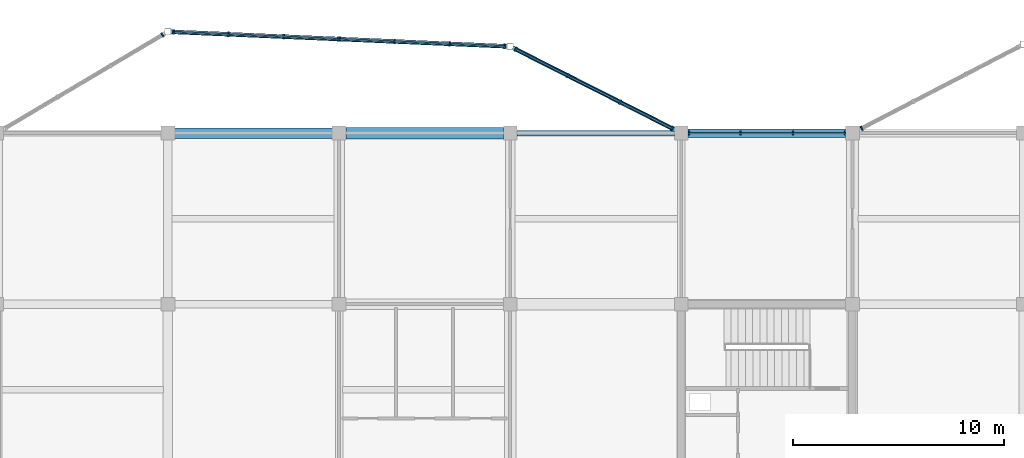
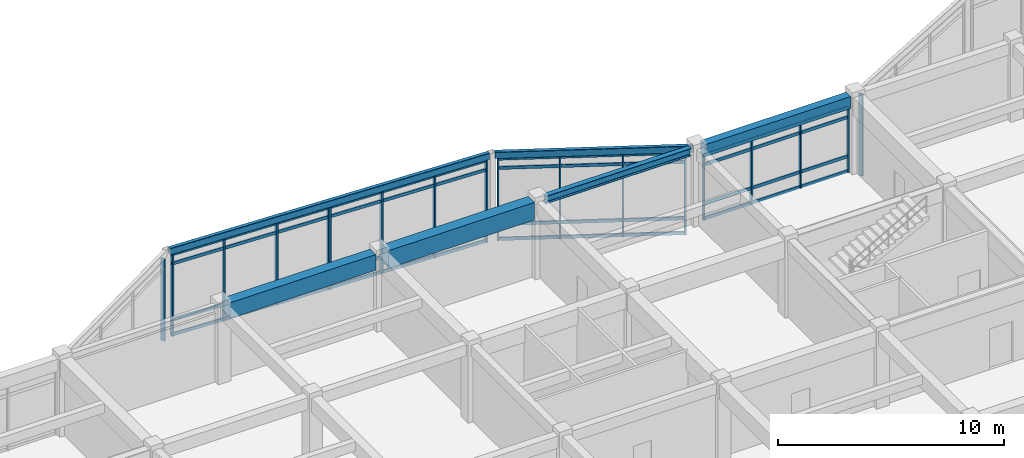
# One storey, part 35 of 70: 34 members, 6 beams, 6 elements without a shape of their own.
"""IFC4 building model written with IfcOpenShell, lengths in metres."""

from ifc_helpers import new_model, si_unit, direction, frame, origin, origin_2d, place, context, subcontext, project, spatial, rectangle, hollow_rectangle, i_section, extrude, material, layer, layer_set, material_profile, profile_set, type_object, element, aggregate, save


model = new_model("IFC4")

# Units and contexts
model_context = context("Model", 3, precision=1e-05, world=origin(), true_north=direction((0.0, 1.0)))
body_context = subcontext(model_context, "Body", "Model", "MODEL_VIEW")
ifc_project = project(units=[si_unit("LENGTHUNIT", "METRE"), si_unit("AREAUNIT", "SQUARE_METRE"), si_unit("VOLUMEUNIT", "CUBIC_METRE"), si_unit("PLANEANGLEUNIT", "RADIAN"), si_unit("MASSUNIT", "GRAM", prefix="KILO")], contexts=[model_context])

# Site, building, storey
site_placement = place(None, origin())
site = spatial("IfcSite", under=ifc_project, at=site_placement, CompositionType="ELEMENT")
building_placement = place(site_placement, origin())
building = spatial("IfcBuilding", under=site, at=building_placement, Name="Vaudrelin Polytechnic", CompositionType="ELEMENT")
storey_placement = place(building_placement, frame((0.0, 0.0, 14.110107421875)))
storey = spatial("IfcBuildingStorey", under=building, at=storey_placement, Name="L03", CompositionType="ELEMENT", Elevation=14.110107421875)

# Beams
ifc_material_1 = material(Name="Concrete 40 MPa", Category="concrete")
ifc_material_profile_1 = material_profile(ifc_material_1, rectangle(XDim=0.39990234375, YDim=0.64990234375, at=origin_2d()), Name="RC400x650")
ifc_profile_set_1 = profile_set([ifc_material_profile_1], Name="Concrete 40 MPa")
beam_type_1 = type_object("IfcBeamType", Name="BM-BM-RC4065", PredefinedType="BEAM", material=ifc_profile_set_1)
beam_1_placement = place(storey_placement, frame((57.02099609375, 121.5, 3.8349609375), z_axis=(1.0, 0.0, 0.0), x_axis=(0.0, 1.0, 0.0)))
element("IfcBeam", 1, at=beam_1_placement, inside=storey, type_object=beam_type_1, Name="L03 X-beam 8-16", PredefinedType="BEAM", context=body_context, shape_type="SweptSolid", body=[
    extrude(rectangle(XDim=0.39990234375, YDim=0.64990234375, at=origin_2d()), origin(), (0.0, 0.0, 1.0), 7.4580078125),
])
ifc_material_profile_2 = material_profile(ifc_material_1, rectangle(XDim=0.5, YDim=0.85009765625, at=origin_2d()), Name="RC500x850")
ifc_profile_set_2 = profile_set([ifc_material_profile_2], Name="Concrete 40 MPa")
beam_type_2 = type_object("IfcBeamType", Name="BM-BM-RC5085", PredefinedType="BEAM", material=ifc_profile_set_2)
beam_2_placement = place(storey_placement, frame((32.720947265625, 121.5, 3.73486328125), z_axis=(1.0, 0.0, 0.0), x_axis=(0.0, 1.0, 0.0)))
element("IfcBeam", 2, at=beam_2_placement, inside=storey, type_object=beam_type_2, Name="L03 X-beam 5-16", PredefinedType="BEAM", context=body_context, shape_type="SweptSolid", body=[
    extrude(rectangle(XDim=0.5, YDim=0.85009765625, at=origin_2d()), origin(), (0.0, 0.0, 1.0), 7.4580078125),
])
ifc_material_2 = material(Name="Concrete 50 MPa", Category="concrete")
ifc_material_profile_3 = material_profile(ifc_material_2, rectangle(XDim=0.550048828125, YDim=0.949951171875, at=origin_2d()), Name="RC550x950")
ifc_profile_set_3 = profile_set([ifc_material_profile_3], Name="Concrete 50 MPa")
beam_type_3 = type_object("IfcBeamType", Name="BM-BM-RC5595", PredefinedType="BEAM", material=ifc_profile_set_3)
beam_3_placement = place(storey_placement, frame((40.821044921875, 121.5, 3.684814453125), z_axis=(1.0, 0.0, 0.0), x_axis=(0.0, 1.0, 0.0)))
element("IfcBeam", 3, at=beam_3_placement, inside=storey, type_object=beam_type_3, Name="L03 X-beam 6-16", PredefinedType="BEAM", context=body_context, shape_type="SweptSolid", body=[
    extrude(rectangle(XDim=0.550048828125, YDim=0.949951171875, at=origin_2d()), origin(), (0.0, 0.0, 1.0), 7.4580078125),
])
ifc_material_3 = material(Name="Steel CSA G40.21 350WT", Category="steel")
ifc_material_profile_4 = material_profile(ifc_material_3, i_section(OverallWidth=0.260009765625, OverallDepth=0.4150390625, WebThickness=0.010009765625, FlangeThickness=0.016845703125, FilletRadius=0.01611328125, at=origin_2d()), Name="W410x100")
ifc_profile_set_4 = profile_set([ifc_material_profile_4], Name="Steel CSA G40.21 350WT")
beam_type_4 = type_object("IfcBeamType", Name="BM-BM-W410H", PredefinedType="SPANDREL", material=ifc_profile_set_4)
beam_4_placement = place(storey_placement, frame((48.9208984375, 121.5, 3.952392578125), z_axis=(1.0, 0.0, 0.0), x_axis=(0.0, 1.0, 0.0)))
element("IfcBeam", 4, at=beam_4_placement, inside=storey, type_object=beam_type_4, Name="L03 X-beam 7-16", PredefinedType="SPANDREL", context=body_context, shape_type="SweptSolid", body=[
    extrude(i_section(OverallWidth=0.260009765625, OverallDepth=0.4150390625, WebThickness=0.010009765625, FlangeThickness=0.016845703125, FilletRadius=0.01611328125, at=origin_2d()), origin(), (0.0, 0.0, 1.0), 7.4580078125),
])
ifc_material_profile_5 = material_profile(ifc_material_3, hollow_rectangle(XDim=0.202880859375, YDim=0.35595703125, WallThickness=0.0126953125, InnerFilletRadius=0.0126953125, OuterFilletRadius=0.025390625, at=origin_2d()), Name="HSS356x203x12.7")
ifc_profile_set_5 = profile_set([ifc_material_profile_5], Name="Steel CSA G40.21 350WT")
beam_type_5 = type_object("IfcBeamType", Name="BM-SP-HSS35", PredefinedType="SPANDREL", material=ifc_profile_set_5)
beam_5_placement = place(storey_placement, frame((32.539794921875, 126.2939453125, 3.98193359375), z_axis=(0.999067570881, -0.043173936739, 0.0), x_axis=(0.043173936739, 0.999067570881, 0.0)))
element("IfcBeam", 5, at=beam_5_placement, inside=storey, type_object=beam_type_5, Name="Sculptural edge beam L03 N_OR1_B2", PredefinedType="SPANDREL", context=body_context, shape_type="SweptSolid", body=[
    extrude(hollow_rectangle(XDim=0.202880859375, YDim=0.35595703125, WallThickness=0.0126953125, InnerFilletRadius=0.0126953125, OuterFilletRadius=0.025390625, at=origin_2d()), origin(), (0.0, 0.0, 1.0), 15.935302734375),
])
beam_6_placement = place(storey_placement, frame((48.724853515625, 125.536865234375, 3.98193359375), z_axis=(0.892213204931, -0.451614433944, 0.0), x_axis=(0.451614433944, 0.892213204931, 0.0)))
element("IfcBeam", 6, at=beam_6_placement, inside=storey, type_object=beam_type_5, Name="Sculptural edge beam L03 N_OR1_B3", PredefinedType="SPANDREL", context=body_context, shape_type="SweptSolid", body=[
    extrude(hollow_rectangle(XDim=0.202880859375, YDim=0.35595703125, WallThickness=0.0126953125, InnerFilletRadius=0.0126953125, OuterFilletRadius=0.025390625, at=origin_2d()), origin(), (0.0, 0.0, 1.0), 8.798828125),
])

# Curtain wall, members
ifc_material_4 = material(Name="Thermally broken anodised aluminium AA 6063-T6 and low-e triple glazing", Category="aluminium")
ifc_layer = layer(ifc_material_4, 0.199951171875)
ifc_layer_set = layer_set([ifc_layer], Name="Thermally broken anodised aluminium AA 6063-T6 and low-e triple glazing")
curtain_wall_type = type_object("IfcCurtainWallType", Name="CW-CW-STU", PredefinedType="USERDEFINED", material=ifc_layer_set)
curtain_wall_1_placement = place(storey_placement, origin())
curtain_wall_1 = element("IfcCurtainWall", 7, at=curtain_wall_1_placement, inside=storey, type_object=curtain_wall_type, Name="Curtain wall L03 N_V5_07", ObjectType="CURTAIN WALL", PredefinedType="USERDEFINED")
ifc_material_5 = material(Name="Anodised aluminium AA 6063-T6", Category="aluminium")
ifc_material_profile_6 = material_profile(ifc_material_5, rectangle(XDim=0.06494140625, YDim=0.179931640625, at=origin_2d()), Name="CWM-65x180")
ifc_profile_set_6 = profile_set([ifc_material_profile_6], Name="Anodised aluminium AA 6063-T6")
member_type_1 = type_object("IfcMemberType", Name="MEM-CWM-180", PredefinedType="MULLION", material=ifc_profile_set_6)
member_1_placement = place(storey_placement, frame((57.06298828125, 121.5, 0.0), z_axis=(0.0, 0.0, 1.0), x_axis=(1.0, 0.0, 0.0)))
member_1 = element("IfcMember", 8, at=member_1_placement, type_object=member_type_1, Name="N_V5_07 mullion 1", PredefinedType="MULLION", context=body_context, shape_type="SweptSolid", body=[
    extrude(rectangle(XDim=0.06494140625, YDim=0.179931640625, at=origin_2d()), origin(), (0.0, 0.0, 1.0), 3.511962890625),
])
member_2_placement = place(storey_placement, frame((59.5078125, 121.5, 0.0), z_axis=(0.0, 0.0, 1.0), x_axis=(1.0, 0.0, 0.0)))
member_2 = element("IfcMember", 9, at=member_2_placement, type_object=member_type_1, Name="N_V5_07 mullion 2", PredefinedType="MULLION", context=body_context, shape_type="SweptSolid", body=[
    extrude(rectangle(XDim=0.06494140625, YDim=0.179931640625, at=origin_2d()), origin(), (0.0, 0.0, 1.0), 3.511962890625),
])
member_3_placement = place(storey_placement, frame((61.9921875, 121.5, 0.0), z_axis=(0.0, 0.0, 1.0), x_axis=(1.0, 0.0, 0.0)))
member_3 = element("IfcMember", 10, at=member_3_placement, type_object=member_type_1, Name="N_V5_07 mullion 3", PredefinedType="MULLION", context=body_context, shape_type="SweptSolid", body=[
    extrude(rectangle(XDim=0.06494140625, YDim=0.179931640625, at=origin_2d()), origin(), (0.0, 0.0, 1.0), 3.511962890625),
])
member_4_placement = place(storey_placement, frame((64.43701171875, 121.5, 0.0), z_axis=(0.0, 0.0, 1.0), x_axis=(1.0, 0.0, 0.0)))
member_4 = element("IfcMember", 11, at=member_4_placement, type_object=member_type_1, Name="N_V5_07 mullion 4", PredefinedType="MULLION", context=body_context, shape_type="SweptSolid", body=[
    extrude(rectangle(XDim=0.06494140625, YDim=0.179931640625, at=origin_2d()), origin(), (0.0, 0.0, 1.0), 3.511962890625),
])

# Curtain wall, member
curtain_wall_2_placement = place(storey_placement, origin())
curtain_wall_2 = element("IfcCurtainWall", 12, at=curtain_wall_2_placement, inside=storey, type_object=curtain_wall_type, Name="Curtain wall L03 N_OR1_1_0", ObjectType="CURTAIN WALL", PredefinedType="USERDEFINED")
ifc_material_profile_7 = material_profile(ifc_material_5, rectangle(XDim=0.074951171875, YDim=0.219970703125, at=origin_2d()), Name="CWM-75x220")
ifc_profile_set_7 = profile_set([ifc_material_profile_7], Name="Anodised aluminium AA 6063-T6")
member_type_2 = type_object("IfcMemberType", Name="MEM-CWM-220", PredefinedType="MULLION", material=ifc_profile_set_7)
member_5_placement = place(storey_placement, frame((32.139892578125, 126.14599609375, -0.630126953125), z_axis=(0.0, 0.0, 1.0), x_axis=(0.860291533635, 0.509802390301, 0.0)))
member_5 = element("IfcMember", 13, at=member_5_placement, type_object=member_type_2, Name="N_OR1_1_0 mullion 4", PredefinedType="MULLION", context=body_context, shape_type="SweptSolid", body=[
    extrude(rectangle(XDim=0.074951171875, YDim=0.219970703125, at=origin_2d()), origin(), (0.0, 0.0, 1.0), 4.43994140625),
])
aggregate(curtain_wall_2, [member_5])

# Curtain wall, members
curtain_wall_3_placement = place(storey_placement, origin())
curtain_wall_3 = element("IfcCurtainWall", 14, at=curtain_wall_3_placement, inside=storey, type_object=curtain_wall_type, Name="Curtain wall L03 N_OR1_2_0", ObjectType="CURTAIN WALL", PredefinedType="USERDEFINED")
member_6_placement = place(storey_placement, frame((32.677490234375, 126.2880859375, -0.630126953125), z_axis=(0.0, 0.0, 1.0), x_axis=(0.99906798854, -0.043164270821, 0.0)))
member_6 = element("IfcMember", 15, at=member_6_placement, type_object=member_type_2, Name="N_OR1_2_0 mullion 1", PredefinedType="MULLION", context=body_context, shape_type="SweptSolid", body=[
    extrude(rectangle(XDim=0.074951171875, YDim=0.219970703125, at=origin_2d()), origin(), (0.0, 0.0, 1.0), 4.43994140625),
])
member_7_placement = place(storey_placement, frame((35.25830078125, 126.176513671875, -0.630126953125), z_axis=(0.0, 0.0, 1.0), x_axis=(0.99906798854, -0.043164270821, 0.0)))
member_7 = element("IfcMember", 16, at=member_7_placement, type_object=member_type_2, Name="N_OR1_2_0 mullion 2", PredefinedType="MULLION", context=body_context, shape_type="SweptSolid", body=[
    extrude(rectangle(XDim=0.074951171875, YDim=0.219970703125, at=origin_2d()), origin(), (0.0, 0.0, 1.0), 4.43994140625),
])
member_8_placement = place(storey_placement, frame((37.879150390625, 126.063232421875, -0.630126953125), z_axis=(0.0, 0.0, 1.0), x_axis=(0.99906798854, -0.043164270821, 0.0)))
member_8 = element("IfcMember", 17, at=member_8_placement, type_object=member_type_2, Name="N_OR1_2_0 mullion 3", PredefinedType="MULLION", context=body_context, shape_type="SweptSolid", body=[
    extrude(rectangle(XDim=0.074951171875, YDim=0.219970703125, at=origin_2d()), origin(), (0.0, 0.0, 1.0), 4.43994140625),
])
member_9_placement = place(storey_placement, frame((40.4599609375, 125.95166015625, -0.630126953125), z_axis=(0.0, 0.0, 1.0), x_axis=(0.99906798854, -0.043164270821, 0.0)))
member_9 = element("IfcMember", 18, at=member_9_placement, type_object=member_type_2, Name="N_OR1_2_0 mullion 4", PredefinedType="MULLION", context=body_context, shape_type="SweptSolid", body=[
    extrude(rectangle(XDim=0.074951171875, YDim=0.219970703125, at=origin_2d()), origin(), (0.0, 0.0, 1.0), 4.43994140625),
])

curtain_wall_4_placement = place(storey_placement, origin())
curtain_wall_4 = element("IfcCurtainWall", 19, at=curtain_wall_4_placement, inside=storey, type_object=curtain_wall_type, Name="Curtain wall L03 N_OR1_2_1", ObjectType="CURTAIN WALL", PredefinedType="USERDEFINED")
member_10_placement = place(storey_placement, frame((40.5400390625, 125.9482421875, -0.630126953125), z_axis=(0.0, 0.0, 1.0), x_axis=(0.99906798854, -0.043164270821, 0.0)))
member_10 = element("IfcMember", 20, at=member_10_placement, type_object=member_type_2, Name="N_OR1_2_1 mullion 1", PredefinedType="MULLION", context=body_context, shape_type="SweptSolid", body=[
    extrude(rectangle(XDim=0.074951171875, YDim=0.219970703125, at=origin_2d()), origin(), (0.0, 0.0, 1.0), 4.43994140625),
])
member_11_placement = place(storey_placement, frame((43.120849609375, 125.8369140625, -0.630126953125), z_axis=(0.0, 0.0, 1.0), x_axis=(0.99906798854, -0.043164270821, 0.0)))
member_11 = element("IfcMember", 21, at=member_11_placement, type_object=member_type_2, Name="N_OR1_2_1 mullion 2", PredefinedType="MULLION", context=body_context, shape_type="SweptSolid", body=[
    extrude(rectangle(XDim=0.074951171875, YDim=0.219970703125, at=origin_2d()), origin(), (0.0, 0.0, 1.0), 4.43994140625),
])
member_12_placement = place(storey_placement, frame((45.74169921875, 125.723388671875, -0.630126953125), z_axis=(0.0, 0.0, 1.0), x_axis=(0.99906798854, -0.043164270821, 0.0)))
member_12 = element("IfcMember", 22, at=member_12_placement, type_object=member_type_2, Name="N_OR1_2_1 mullion 3", PredefinedType="MULLION", context=body_context, shape_type="SweptSolid", body=[
    extrude(rectangle(XDim=0.074951171875, YDim=0.219970703125, at=origin_2d()), origin(), (0.0, 0.0, 1.0), 4.43994140625),
])
member_13_placement = place(storey_placement, frame((48.322509765625, 125.612060546875, -0.630126953125), z_axis=(0.0, 0.0, 1.0), x_axis=(0.99906798854, -0.043164270821, 0.0)))
member_13 = element("IfcMember", 23, at=member_13_placement, type_object=member_type_2, Name="N_OR1_2_1 mullion 4", PredefinedType="MULLION", context=body_context, shape_type="SweptSolid", body=[
    extrude(rectangle(XDim=0.074951171875, YDim=0.219970703125, at=origin_2d()), origin(), (0.0, 0.0, 1.0), 4.43994140625),
])

curtain_wall_5_placement = place(storey_placement, origin())
curtain_wall_5 = element("IfcCurtainWall", 24, at=curtain_wall_5_placement, inside=storey, type_object=curtain_wall_type, Name="Curtain wall L03 N_OR1_3_0", ObjectType="CURTAIN WALL", PredefinedType="USERDEFINED")
member_14_placement = place(storey_placement, frame((48.864013671875, 125.46630859375, -0.630126953125), z_axis=(0.0, 0.0, 1.0), x_axis=(0.892216550993, -0.451607823375, 0.0)))
member_14 = element("IfcMember", 25, at=member_14_placement, type_object=member_type_2, Name="N_OR1_3_0 mullion 1", PredefinedType="MULLION", context=body_context, shape_type="SweptSolid", body=[
    extrude(rectangle(XDim=0.074951171875, YDim=0.219970703125, at=origin_2d()), origin(), (0.0, 0.0, 1.0), 4.43994140625),
])
member_15_placement = place(storey_placement, frame((51.318603515625, 124.223876953125, -0.630126953125), z_axis=(0.0, 0.0, 1.0), x_axis=(0.892216550993, -0.451607823375, 0.0)))
member_15 = element("IfcMember", 26, at=member_15_placement, type_object=member_type_2, Name="N_OR1_3_0 mullion 2", PredefinedType="MULLION", context=body_context, shape_type="SweptSolid", body=[
    extrude(rectangle(XDim=0.074951171875, YDim=0.219970703125, at=origin_2d()), origin(), (0.0, 0.0, 1.0), 4.43994140625),
])
member_16_placement = place(storey_placement, frame((53.808837890625, 122.96337890625, -0.630126953125), z_axis=(0.0, 0.0, 1.0), x_axis=(0.892216550993, -0.451607823375, 0.0)))
member_16 = element("IfcMember", 27, at=member_16_placement, type_object=member_type_2, Name="N_OR1_3_0 mullion 3", PredefinedType="MULLION", context=body_context, shape_type="SweptSolid", body=[
    extrude(rectangle(XDim=0.074951171875, YDim=0.219970703125, at=origin_2d()), origin(), (0.0, 0.0, 1.0), 4.43994140625),
])
member_17_placement = place(storey_placement, frame((56.263427734375, 121.720947265625, -0.630126953125), z_axis=(0.0, 0.0, 1.0), x_axis=(0.892216550993, -0.451607823375, 0.0)))
member_17 = element("IfcMember", 28, at=member_17_placement, type_object=member_type_2, Name="N_OR1_3_0 mullion 4", PredefinedType="MULLION", context=body_context, shape_type="SweptSolid", body=[
    extrude(rectangle(XDim=0.074951171875, YDim=0.219970703125, at=origin_2d()), origin(), (0.0, 0.0, 1.0), 4.43994140625),
])

# Curtain wall, member
curtain_wall_6_placement = place(storey_placement, origin())
curtain_wall_6 = element("IfcCurtainWall", 29, at=curtain_wall_6_placement, inside=storey, type_object=curtain_wall_type, Name="Curtain wall L03 N_OR2_1_0", ObjectType="CURTAIN WALL", PredefinedType="USERDEFINED")
member_18_placement = place(storey_placement, frame((65.236083984375, 121.72607421875, -0.630126953125), z_axis=(0.0, 0.0, 1.0), x_axis=(0.88775021542, 0.460325488129, 0.0)))
member_18 = element("IfcMember", 30, at=member_18_placement, type_object=member_type_2, Name="N_OR2_1_0 mullion 1", PredefinedType="MULLION", context=body_context, shape_type="SweptSolid", body=[
    extrude(rectangle(XDim=0.074951171875, YDim=0.219970703125, at=origin_2d()), origin(), (0.0, 0.0, 1.0), 4.43994140625),
])
aggregate(curtain_wall_6, [member_18])

# Member
ifc_material_profile_8 = material_profile(ifc_material_5, rectangle(XDim=0.074951171875, YDim=0.1650390625, at=origin_2d()), Name="CWT-75x165")
ifc_profile_set_8 = profile_set([ifc_material_profile_8], Name="Anodised aluminium AA 6063-T6")
member_type_3 = type_object("IfcMemberType", Name="MEM-CWT-165", PredefinedType="USERDEFINED", material=ifc_profile_set_8)
member_19_placement = place(storey_placement, frame((57.02294921875, 121.5, 0.0498046875), z_axis=(1.0, 0.0, 0.0), x_axis=(0.0, 1.0, 0.0)))
member_19 = element("IfcMember", 31, at=member_19_placement, type_object=member_type_3, Name="N_V5_07 transom 1", ObjectType="TRANSOM", PredefinedType="USERDEFINED", context=body_context, shape_type="SweptSolid", body=[
    extrude(rectangle(XDim=0.074951171875, YDim=0.1650390625, at=origin_2d()), origin(), (0.0, 0.0, 1.0), 7.4541015625),
])

member_20_placement = place(storey_placement, frame((57.02294921875, 121.5, 0.849853515625), z_axis=(1.0, 0.0, 0.0), x_axis=(0.0, 1.0, 0.0)))
member_20 = element("IfcMember", 32, at=member_20_placement, type_object=member_type_3, Name="N_V5_07 transom 2", ObjectType="TRANSOM", PredefinedType="USERDEFINED", context=body_context, shape_type="SweptSolid", body=[
    extrude(rectangle(XDim=0.074951171875, YDim=0.1650390625, at=origin_2d()), origin(), (0.0, 0.0, 1.0), 7.4541015625),
])

member_21_placement = place(storey_placement, frame((57.02294921875, 121.5, 2.9619140625), z_axis=(1.0, 0.0, 0.0), x_axis=(0.0, 1.0, 0.0)))
member_21 = element("IfcMember", 33, at=member_21_placement, type_object=member_type_3, Name="N_V5_07 transom 3", ObjectType="TRANSOM", PredefinedType="USERDEFINED", context=body_context, shape_type="SweptSolid", body=[
    extrude(rectangle(XDim=0.074951171875, YDim=0.1650390625, at=origin_2d()), origin(), (0.0, 0.0, 1.0), 7.4541015625),
])

member_22_placement = place(storey_placement, frame((57.02294921875, 121.5, 3.4619140625), z_axis=(1.0, 0.0, 0.0), x_axis=(0.0, 1.0, 0.0)))
member_22 = element("IfcMember", 34, at=member_22_placement, type_object=member_type_3, Name="N_V5_07 transom 4", ObjectType="TRANSOM", PredefinedType="USERDEFINED", context=body_context, shape_type="SweptSolid", body=[
    extrude(rectangle(XDim=0.074951171875, YDim=0.1650390625, at=origin_2d()), origin(), (0.0, 0.0, 1.0), 7.4541015625),
])

aggregate(curtain_wall_1, [member_1, member_2, member_3, member_4, member_19, member_20, member_21, member_22])

member_23_placement = place(storey_placement, frame((32.637451171875, 126.289794921875, -0.580078125), z_axis=(0.999067188558, -0.043182782999, 0.0), x_axis=(0.043182782999, 0.999067188558, 0.0)))
member_23 = element("IfcMember", 35, at=member_23_placement, type_object=member_type_3, Name="N_OR1_2_0 transom 1", ObjectType="TRANSOM", PredefinedType="USERDEFINED", context=body_context, shape_type="SweptSolid", body=[
    extrude(rectangle(XDim=0.074951171875, YDim=0.1650390625, at=origin_2d()), origin(), (0.0, 0.0, 1.0), 7.869873046875),
])

member_24_placement = place(storey_placement, frame((32.637451171875, 126.289794921875, 0.219970703125), z_axis=(0.999067188558, -0.043182782999, 0.0), x_axis=(0.043182782999, 0.999067188558, 0.0)))
member_24 = element("IfcMember", 36, at=member_24_placement, type_object=member_type_3, Name="N_OR1_2_0 transom 2", ObjectType="TRANSOM", PredefinedType="USERDEFINED", context=body_context, shape_type="SweptSolid", body=[
    extrude(rectangle(XDim=0.074951171875, YDim=0.1650390625, at=origin_2d()), origin(), (0.0, 0.0, 1.0), 7.869873046875),
])

member_25_placement = place(storey_placement, frame((32.637451171875, 126.289794921875, 3.260009765625), z_axis=(0.999067188558, -0.043182782999, 0.0), x_axis=(0.043182782999, 0.999067188558, 0.0)))
member_25 = element("IfcMember", 37, at=member_25_placement, type_object=member_type_3, Name="N_OR1_2_0 transom 3", ObjectType="TRANSOM", PredefinedType="USERDEFINED", context=body_context, shape_type="SweptSolid", body=[
    extrude(rectangle(XDim=0.074951171875, YDim=0.1650390625, at=origin_2d()), origin(), (0.0, 0.0, 1.0), 7.869873046875),
])

member_26_placement = place(storey_placement, frame((32.637451171875, 126.289794921875, 3.760009765625), z_axis=(0.999067188558, -0.043182782999, 0.0), x_axis=(0.043182782999, 0.999067188558, 0.0)))
member_26 = element("IfcMember", 38, at=member_26_placement, type_object=member_type_3, Name="N_OR1_2_0 transom 4", ObjectType="TRANSOM", PredefinedType="USERDEFINED", context=body_context, shape_type="SweptSolid", body=[
    extrude(rectangle(XDim=0.074951171875, YDim=0.1650390625, at=origin_2d()), origin(), (0.0, 0.0, 1.0), 7.869873046875),
])

aggregate(curtain_wall_3, [member_6, member_7, member_8, member_9, member_23, member_24, member_25, member_26])

member_27_placement = place(storey_placement, frame((40.5, 125.949951171875, -0.580078125), z_axis=(0.999068526451, -0.043151818671, 0.0), x_axis=(0.043151818671, 0.999068526451, 0.0)))
member_27 = element("IfcMember", 39, at=member_27_placement, type_object=member_type_3, Name="N_OR1_2_1 transom 1", ObjectType="TRANSOM", PredefinedType="USERDEFINED", context=body_context, shape_type="SweptSolid", body=[
    extrude(rectangle(XDim=0.074951171875, YDim=0.1650390625, at=origin_2d()), origin(), (0.0, 0.0, 1.0), 7.869873046875),
])

member_28_placement = place(storey_placement, frame((40.5, 125.949951171875, 0.219970703125), z_axis=(0.999068526451, -0.043151818671, 0.0), x_axis=(0.043151818671, 0.999068526451, 0.0)))
member_28 = element("IfcMember", 40, at=member_28_placement, type_object=member_type_3, Name="N_OR1_2_1 transom 2", ObjectType="TRANSOM", PredefinedType="USERDEFINED", context=body_context, shape_type="SweptSolid", body=[
    extrude(rectangle(XDim=0.074951171875, YDim=0.1650390625, at=origin_2d()), origin(), (0.0, 0.0, 1.0), 7.869873046875),
])

member_29_placement = place(storey_placement, frame((40.5, 125.949951171875, 3.260009765625), z_axis=(0.999068526451, -0.043151818671, 0.0), x_axis=(0.043151818671, 0.999068526451, 0.0)))
member_29 = element("IfcMember", 41, at=member_29_placement, type_object=member_type_3, Name="N_OR1_2_1 transom 3", ObjectType="TRANSOM", PredefinedType="USERDEFINED", context=body_context, shape_type="SweptSolid", body=[
    extrude(rectangle(XDim=0.074951171875, YDim=0.1650390625, at=origin_2d()), origin(), (0.0, 0.0, 1.0), 7.869873046875),
])

member_30_placement = place(storey_placement, frame((40.5, 125.949951171875, 3.760009765625), z_axis=(0.999068526451, -0.043151818671, 0.0), x_axis=(0.043151818671, 0.999068526451, 0.0)))
member_30 = element("IfcMember", 42, at=member_30_placement, type_object=member_type_3, Name="N_OR1_2_1 transom 4", ObjectType="TRANSOM", PredefinedType="USERDEFINED", context=body_context, shape_type="SweptSolid", body=[
    extrude(rectangle(XDim=0.074951171875, YDim=0.1650390625, at=origin_2d()), origin(), (0.0, 0.0, 1.0), 7.869873046875),
])

aggregate(curtain_wall_4, [member_10, member_11, member_12, member_13, member_27, member_28, member_29, member_30])

member_31_placement = place(storey_placement, frame((48.828369140625, 125.484375, -0.580078125), z_axis=(0.892217984181, -0.451604991895, 0.0), x_axis=(0.451604991895, 0.892217984181, 0.0)))
member_31 = element("IfcMember", 43, at=member_31_placement, type_object=member_type_3, Name="N_OR1_3_0 transom 1", ObjectType="TRANSOM", PredefinedType="USERDEFINED", context=body_context, shape_type="SweptSolid", body=[
    extrude(rectangle(XDim=0.074951171875, YDim=0.1650390625, at=origin_2d()), origin(), (0.0, 0.0, 1.0), 8.37353515625),
])

member_32_placement = place(storey_placement, frame((48.828369140625, 125.484375, 0.219970703125), z_axis=(0.892217984181, -0.451604991895, 0.0), x_axis=(0.451604991895, 0.892217984181, 0.0)))
member_32 = element("IfcMember", 44, at=member_32_placement, type_object=member_type_3, Name="N_OR1_3_0 transom 2", ObjectType="TRANSOM", PredefinedType="USERDEFINED", context=body_context, shape_type="SweptSolid", body=[
    extrude(rectangle(XDim=0.074951171875, YDim=0.1650390625, at=origin_2d()), origin(), (0.0, 0.0, 1.0), 8.37353515625),
])

member_33_placement = place(storey_placement, frame((48.828369140625, 125.484375, 3.260009765625), z_axis=(0.892217984181, -0.451604991895, 0.0), x_axis=(0.451604991895, 0.892217984181, 0.0)))
member_33 = element("IfcMember", 45, at=member_33_placement, type_object=member_type_3, Name="N_OR1_3_0 transom 3", ObjectType="TRANSOM", PredefinedType="USERDEFINED", context=body_context, shape_type="SweptSolid", body=[
    extrude(rectangle(XDim=0.074951171875, YDim=0.1650390625, at=origin_2d()), origin(), (0.0, 0.0, 1.0), 8.37353515625),
])

member_34_placement = place(storey_placement, frame((48.828369140625, 125.484375, 3.760009765625), z_axis=(0.892217984181, -0.451604991895, 0.0), x_axis=(0.451604991895, 0.892217984181, 0.0)))
member_34 = element("IfcMember", 46, at=member_34_placement, type_object=member_type_3, Name="N_OR1_3_0 transom 4", ObjectType="TRANSOM", PredefinedType="USERDEFINED", context=body_context, shape_type="SweptSolid", body=[
    extrude(rectangle(XDim=0.074951171875, YDim=0.1650390625, at=origin_2d()), origin(), (0.0, 0.0, 1.0), 8.37353515625),
])

aggregate(curtain_wall_5, [member_14, member_15, member_16, member_17, member_31, member_32, member_33, member_34])

save(model, "model.ifc")
